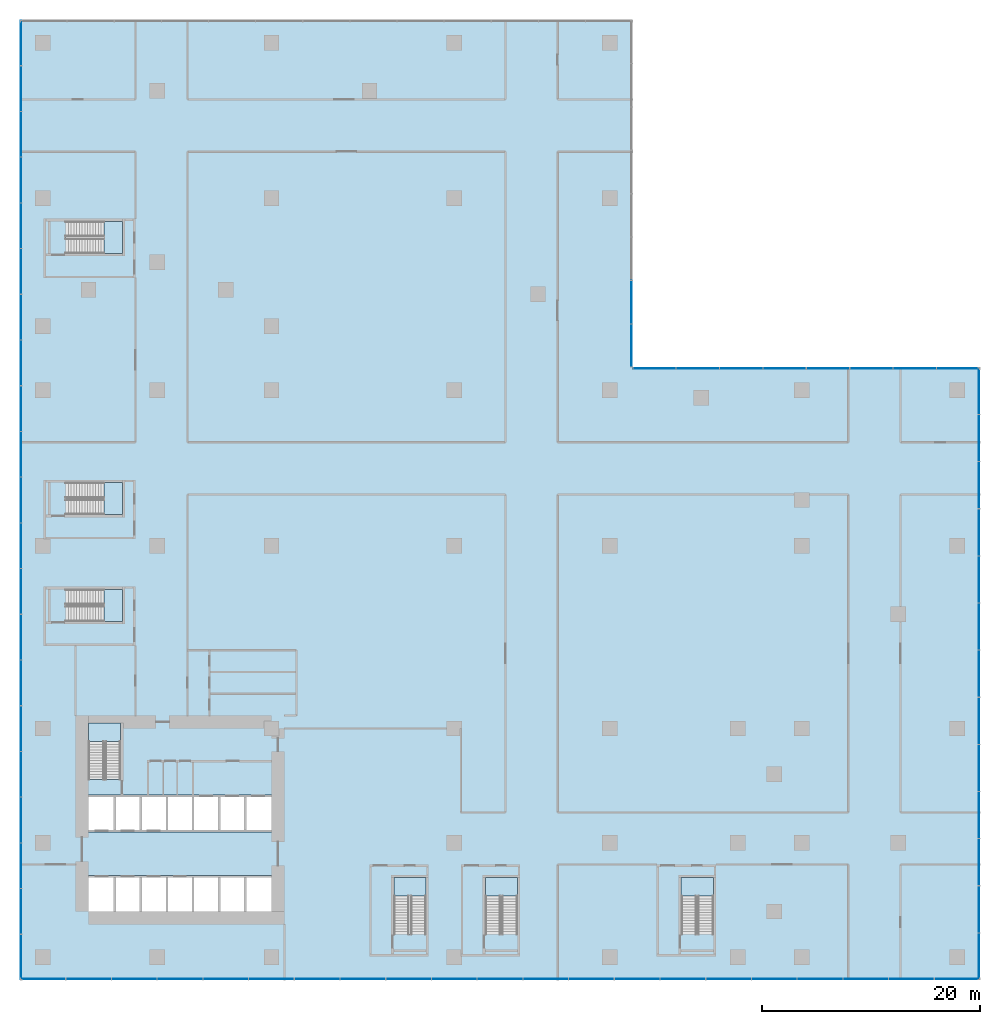
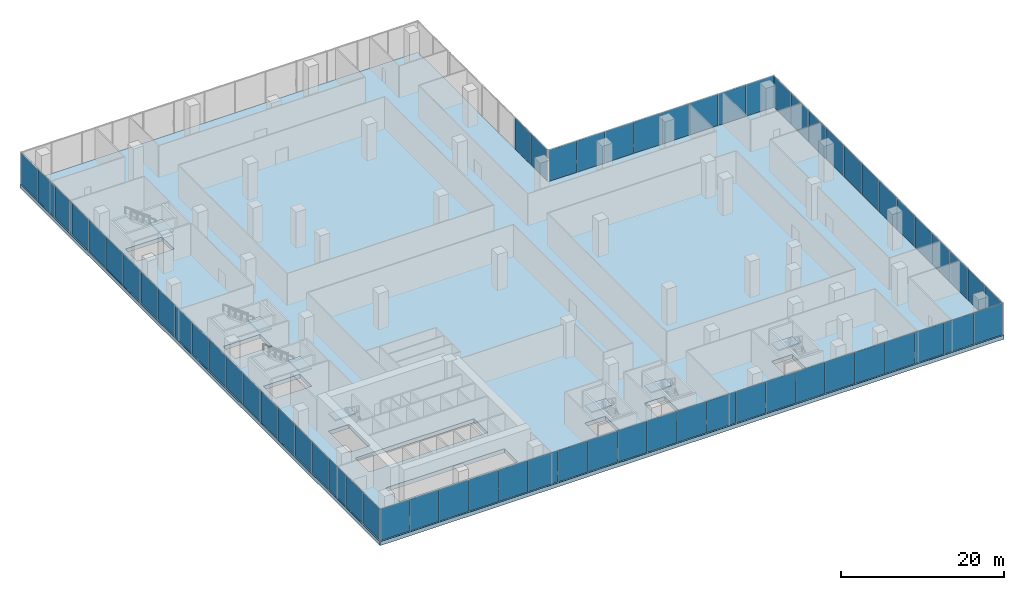
# One storey, part 11 of 22: 65 plates, 8 slabs, 12 elements without a shape of their own.
"""IFC4 building model written with IfcOpenShell, lengths in metres."""

from ifc_helpers import new_model, si_unit, direction, frame, origin, origin_2d, place, context, subcontext, project, spatial, polyline, rectangle, outline, extrude, source, transform, mapped, material, layer, layer_set, type_object, element, aggregate, save


model = new_model("IFC4")

# Units and contexts
model_context = context("Model", 3, precision=1e-05, world=origin(), true_north=direction((0.0, 1.0)))
body_context = subcontext(model_context, "Body", "Model", "MODEL_VIEW")
ifc_project = project(units=[si_unit("LENGTHUNIT", "METRE"), si_unit("AREAUNIT", "SQUARE_METRE"), si_unit("VOLUMEUNIT", "CUBIC_METRE"), si_unit("PLANEANGLEUNIT", "RADIAN"), si_unit("MASSUNIT", "GRAM", prefix="KILO")], contexts=[model_context])

# Site, building, storey
site_placement = place(None, origin())
site = spatial("IfcSite", under=ifc_project, at=site_placement, CompositionType="ELEMENT")
building_placement = place(site_placement, origin())
building = spatial("IfcBuilding", under=site, at=building_placement, Name="Aurelian Terraces", CompositionType="ELEMENT")
storey_placement = place(building_placement, frame((0.0, 0.0, 7.5)))
storey = spatial("IfcBuildingStorey", under=building, at=storey_placement, Name="L01", CompositionType="ELEMENT", Elevation=7.5)

# Slab
ifc_material_1 = material(Name="Concrete fc' 40 MPa", Category="concrete")
ifc_layer_1 = layer(ifc_material_1, 0.6)
ifc_layer_set_1 = layer_set([ifc_layer_1], Name="PT FLAT PLATE 600")
slab_type_1 = type_object("IfcSlabType", Name="PT FLAT PLATE 600", PredefinedType="FLOOR", material=ifc_layer_set_1)
slab_1_placement = place(storey_placement, frame((0.0, 0.0, -0.6)))
element("IfcSlab", 1, at=slab_1_placement, inside=storey, type_object=slab_type_1, Name="Floor slab P L01", PredefinedType="FLOOR", context=body_context, shape_type="SweptSolid", body=[
    extrude(outline(polyline([(86.1, -2.1), (54.18, -2.1), (-2.1, -2.1), (-2.1, 54.18), (-2.1, 86.1), (54.18, 86.1), (54.18, 54.18), (86.1, 54.18), (86.1, -2.1)]), holes=[polyline([(58.66, 7.29), (58.66, 2.11), (61.59, 2.11), (61.59, 7.29), (58.66, 7.29)]), polyline([(40.66, 7.29), (40.66, 2.11), (43.59, 2.11), (43.59, 7.29), (40.66, 7.29)]), polyline([(32.26, 7.29), (32.26, 2.11), (35.19, 2.11), (35.19, 7.29), (32.26, 7.29)]), polyline([(4.21, 7.49), (4.21, 4.21), (20.99, 4.21), (20.99, 7.49), (4.21, 7.49)]), polyline([(4.21, 14.89), (4.21, 11.51), (20.99, 11.51), (20.99, 14.89), (4.21, 14.89)]), polyline([(7.29, 40.66), (7.29, 43.59), (2.11, 43.59), (2.11, 40.66), (7.29, 40.66)]), polyline([(7.29, 64.66), (7.29, 67.59), (2.11, 67.59), (2.11, 64.66), (7.29, 64.66)]), polyline([(7.29, 33.79), (2.11, 33.79), (2.11, 30.86), (7.29, 30.86), (7.29, 33.79)]), polyline([(4.21, 21.49), (4.21, 16.31), (7.14, 16.31), (7.14, 21.49), (4.21, 21.49)])]), origin(), (0.0, 0.0, 1.0), 0.6),
])

# Curtain wall, plates
ifc_material_2 = material(Name="Anodised aluminium and clear glazing", Category="aluminium")
ifc_layer_2 = layer(ifc_material_2, 0.2)
ifc_layer_set_2 = layer_set([ifc_layer_2], Name="Podium shopfront curtain wall")
curtain_wall_type = type_object("IfcCurtainWallType", Name="Podium shopfront curtain wall", PredefinedType="NOTDEFINED", material=ifc_layer_set_2)
curtain_wall_1_placement = place(storey_placement, origin())
curtain_wall_1 = element("IfcCurtainWall", 2, at=curtain_wall_1_placement, inside=storey, type_object=curtain_wall_type, Name="Podium shopfront L01 F01.1", PredefinedType="NOTDEFINED")
ifc_material_3 = material(Name="Clear glazing", Category="glass")
ifc_layer_3 = layer(ifc_material_3, 0.028)
ifc_layer_set_3 = layer_set([ifc_layer_3], Name="Podium shopfront glazing panel")
plate_type = type_object("IfcPlateType", Name="Podium shopfront glazing panel", PredefinedType="CURTAIN_PANEL", material=ifc_layer_set_3)
plate_1_placement = place(storey_placement, frame((0.015, -2.0, 0.06), z_axis=(0.0, 0.0, 1.0), x_axis=(1.0, 0.0, 0.0)))
plate_1 = element("IfcPlate", 3, at=plate_1_placement, type_object=plate_type, Name="CW1 panel 1.1", PredefinedType="CURTAIN_PANEL", context=body_context, shape_type="SweptSolid", body=[
    extrude(rectangle(XDim=4.11, YDim=0.028, at=origin_2d()), origin(), (0.0, 0.0, 1.0), 4.68),
])
plate_2_placement = place(storey_placement, frame((4.2, -2.0, 0.06), z_axis=(0.0, 0.0, 1.0), x_axis=(1.0, 0.0, 0.0)))
plate_2 = element("IfcPlate", 4, at=plate_2_placement, type_object=plate_type, Name="CW1 panel 2.1", PredefinedType="CURTAIN_PANEL", context=body_context, shape_type="SweptSolid", body=[
    extrude(rectangle(XDim=4.14, YDim=0.028, at=origin_2d()), origin(), (0.0, 0.0, 1.0), 4.68),
])

curtain_wall_2_placement = place(storey_placement, origin())
curtain_wall_2 = element("IfcCurtainWall", 5, at=curtain_wall_2_placement, inside=storey, type_object=curtain_wall_type, Name="Podium shopfront L01 F02.1", PredefinedType="NOTDEFINED")
plate_3_placement = place(storey_placement, frame((86.0, 0.0796, 0.06), z_axis=(0.0, 0.0, 1.0), x_axis=(0.0, 1.0, 0.0)))
plate_3 = element("IfcPlate", 6, at=plate_3_placement, type_object=plate_type, Name="CW1 panel 1.1", PredefinedType="CURTAIN_PANEL", context=body_context, shape_type="SweptSolid", body=[
    extrude(rectangle(XDim=4.2392, YDim=0.028, at=origin_2d()), origin(), (0.0, 0.0, 1.0), 4.68),
])
plate_4_placement = place(storey_placement, frame((86.0, 4.3938, 0.06), z_axis=(0.0, 0.0, 1.0), x_axis=(0.0, 1.0, 0.0)))
plate_4 = element("IfcPlate", 7, at=plate_4_placement, type_object=plate_type, Name="CW1 panel 2.1", PredefinedType="CURTAIN_PANEL", context=body_context, shape_type="SweptSolid", body=[
    extrude(rectangle(XDim=4.2692, YDim=0.028, at=origin_2d()), origin(), (0.0, 0.0, 1.0), 4.68),
])

curtain_wall_3_placement = place(storey_placement, origin())
curtain_wall_3 = element("IfcCurtainWall", 8, at=curtain_wall_3_placement, inside=storey, type_object=curtain_wall_type, Name="Podium shopfront L01 F03.1", PredefinedType="NOTDEFINED")
plate_5_placement = place(storey_placement, frame((84.09, 54.08, 0.06), z_axis=(0.0, 0.0, 1.0), x_axis=(-1.0, 0.0, 0.0)))
plate_5 = element("IfcPlate", 9, at=plate_5_placement, type_object=plate_type, Name="CW1 panel 1.1", PredefinedType="CURTAIN_PANEL", context=body_context, shape_type="SweptSolid", body=[
    extrude(rectangle(XDim=3.9, YDim=0.028, at=origin_2d()), origin(), (0.0, 0.0, 1.0), 4.68),
])
plate_6_placement = place(storey_placement, frame((80.115, 54.08, 0.06), z_axis=(0.0, 0.0, 1.0), x_axis=(-1.0, 0.0, 0.0)))
plate_6 = element("IfcPlate", 10, at=plate_6_placement, type_object=plate_type, Name="CW1 panel 2.1", PredefinedType="CURTAIN_PANEL", context=body_context, shape_type="SweptSolid", body=[
    extrude(rectangle(XDim=3.93, YDim=0.028, at=origin_2d()), origin(), (0.0, 0.0, 1.0), 4.68),
])

# Stair, slab
stair_type = type_object("IfcStairType", Name="Stair 1400", PredefinedType="HALF_TURN_STAIR", material=ifc_material_1)
stair_1_placement = place(storey_placement, origin())
stair_1 = element("IfcStair", 11, at=stair_1_placement, inside=storey, type_object=stair_type, Name="L01 S1", PredefinedType="HALF_TURN_STAIR")
ifc_layer_4 = layer(ifc_material_1, 0.2)
ifc_layer_set_4 = layer_set([ifc_layer_4], Name="Stair landing 200")
slab_type_2 = type_object("IfcSlabType", Name="Stair landing 200", PredefinedType="LANDING", material=ifc_layer_set_4)
slab_2_placement = place(storey_placement, frame((0.0, 0.0, 2.5)))
slab_2 = element("IfcSlab", 12, at=slab_2_placement, type_object=slab_type_2, Name="S1 landing 1", PredefinedType="LANDING", context=body_context, shape_type="SweptSolid", body=[
    extrude(outline(polyline([(7.15, 19.8), (7.15, 21.5), (4.2, 21.5), (4.2, 19.8), (7.15, 19.8)])), origin(), (0.0, 0.0, 1.0), 0.2),
])
aggregate(stair_1, [slab_2])

stair_2_placement = place(storey_placement, origin())
stair_2 = element("IfcStair", 13, at=stair_2_placement, inside=storey, type_object=stair_type, Name="L01 S2", PredefinedType="HALF_TURN_STAIR")
slab_3_placement = place(storey_placement, frame((0.0, 0.0, 2.5)))
slab_3 = element("IfcSlab", 14, at=slab_3_placement, type_object=slab_type_2, Name="S2 landing 1", PredefinedType="LANDING", context=body_context, shape_type="SweptSolid", body=[
    extrude(outline(polyline([(43.6, 5.6), (43.6, 7.3), (40.65, 7.3), (40.65, 5.6), (43.6, 5.6)])), origin(), (0.0, 0.0, 1.0), 0.2),
])
aggregate(stair_2, [slab_3])

stair_3_placement = place(storey_placement, origin())
stair_3 = element("IfcStair", 15, at=stair_3_placement, inside=storey, type_object=stair_type, Name="L01 S3", PredefinedType="HALF_TURN_STAIR")
slab_4_placement = place(storey_placement, frame((0.0, 0.0, 2.5)))
slab_4 = element("IfcSlab", 16, at=slab_4_placement, type_object=slab_type_2, Name="S3 landing 1", PredefinedType="LANDING", context=body_context, shape_type="SweptSolid", body=[
    extrude(outline(polyline([(5.6, 40.65), (7.3, 40.65), (7.3, 43.6), (5.6, 43.6), (5.6, 40.65)])), origin(), (0.0, 0.0, 1.0), 0.2),
])
aggregate(stair_3, [slab_4])

stair_4_placement = place(storey_placement, origin())
stair_4 = element("IfcStair", 17, at=stair_4_placement, inside=storey, type_object=stair_type, Name="L01 S4", PredefinedType="HALF_TURN_STAIR")
slab_5_placement = place(storey_placement, frame((0.0, 0.0, 2.5)))
slab_5 = element("IfcSlab", 18, at=slab_5_placement, type_object=slab_type_2, Name="S4 landing 1", PredefinedType="LANDING", context=body_context, shape_type="SweptSolid", body=[
    extrude(outline(polyline([(5.6, 30.85), (7.3, 30.85), (7.3, 33.8), (5.6, 33.8), (5.6, 30.85)])), origin(), (0.0, 0.0, 1.0), 0.2),
])
aggregate(stair_4, [slab_5])

stair_5_placement = place(storey_placement, origin())
stair_5 = element("IfcStair", 19, at=stair_5_placement, inside=storey, type_object=stair_type, Name="L01 S5", PredefinedType="HALF_TURN_STAIR")
slab_6_placement = place(storey_placement, frame((0.0, 0.0, 2.5)))
slab_6 = element("IfcSlab", 20, at=slab_6_placement, type_object=slab_type_2, Name="S5 landing 1", PredefinedType="LANDING", context=body_context, shape_type="SweptSolid", body=[
    extrude(outline(polyline([(5.6, 64.65), (7.3, 64.65), (7.3, 67.6), (5.6, 67.6), (5.6, 64.65)])), origin(), (0.0, 0.0, 1.0), 0.2),
])
aggregate(stair_5, [slab_6])

stair_6_placement = place(storey_placement, origin())
stair_6 = element("IfcStair", 21, at=stair_6_placement, inside=storey, type_object=stair_type, Name="L01 S6", PredefinedType="HALF_TURN_STAIR")
slab_7_placement = place(storey_placement, frame((0.0, 0.0, 2.5)))
slab_7 = element("IfcSlab", 22, at=slab_7_placement, type_object=slab_type_2, Name="S6 landing 1", PredefinedType="LANDING", context=body_context, shape_type="SweptSolid", body=[
    extrude(outline(polyline([(61.6, 5.6), (61.6, 7.3), (58.65, 7.3), (58.65, 5.6), (61.6, 5.6)])), origin(), (0.0, 0.0, 1.0), 0.2),
])
aggregate(stair_6, [slab_7])

stair_7_placement = place(storey_placement, origin())
stair_7 = element("IfcStair", 23, at=stair_7_placement, inside=storey, type_object=stair_type, Name="L01 S7", PredefinedType="HALF_TURN_STAIR")
slab_8_placement = place(storey_placement, frame((0.0, 0.0, 2.5)))
slab_8 = element("IfcSlab", 24, at=slab_8_placement, type_object=slab_type_2, Name="S7 landing 1", PredefinedType="LANDING", context=body_context, shape_type="SweptSolid", body=[
    extrude(outline(polyline([(35.2, 5.6), (35.2, 7.3), (32.25, 7.3), (32.25, 5.6), (35.2, 5.6)])), origin(), (0.0, 0.0, 1.0), 0.2),
])
aggregate(stair_7, [slab_8])

# Plate
shared_shape_1 = source(origin(), body_context, "Body", "SweptSolid", [
    extrude(rectangle(XDim=4.14, YDim=0.028, at=origin_2d()), origin(), (0.0, 0.0, 1.0), 4.68),
])
plate_7_placement = place(storey_placement, frame((8.4, -2.0, 0.06), z_axis=(0.0, 0.0, 1.0), x_axis=(1.0, 0.0, 0.0)))
plate_7 = element("IfcPlate", 25, at=plate_7_placement, type_object=plate_type, Name="CW1 panel 3.1", PredefinedType="CURTAIN_PANEL", context=body_context, shape_type="MappedRepresentation", body=[
    mapped(shared_shape_1, transform((0.0, 0.0, 0.0), scale=1.0)),
])

plate_8_placement = place(storey_placement, frame((12.6, -2.0, 0.06), z_axis=(0.0, 0.0, 1.0), x_axis=(1.0, 0.0, 0.0)))
plate_8 = element("IfcPlate", 26, at=plate_8_placement, type_object=plate_type, Name="CW1 panel 4.1", PredefinedType="CURTAIN_PANEL", context=body_context, shape_type="MappedRepresentation", body=[
    mapped(shared_shape_1, transform((0.0, 0.0, 0.0), scale=1.0)),
])

plate_9_placement = place(storey_placement, frame((16.8, -2.0, 0.06), z_axis=(0.0, 0.0, 1.0), x_axis=(1.0, 0.0, 0.0)))
plate_9 = element("IfcPlate", 27, at=plate_9_placement, type_object=plate_type, Name="CW1 panel 5.1", PredefinedType="CURTAIN_PANEL", context=body_context, shape_type="MappedRepresentation", body=[
    mapped(shared_shape_1, transform((0.0, 0.0, 0.0), scale=1.0)),
])

plate_10_placement = place(storey_placement, frame((21.0, -2.0, 0.06), z_axis=(0.0, 0.0, 1.0), x_axis=(1.0, 0.0, 0.0)))
plate_10 = element("IfcPlate", 28, at=plate_10_placement, type_object=plate_type, Name="CW1 panel 6.1", PredefinedType="CURTAIN_PANEL", context=body_context, shape_type="MappedRepresentation", body=[
    mapped(shared_shape_1, transform((0.0, 0.0, 0.0), scale=1.0)),
])

plate_11_placement = place(storey_placement, frame((25.2, -2.0, 0.06), z_axis=(0.0, 0.0, 1.0), x_axis=(1.0, 0.0, 0.0)))
plate_11 = element("IfcPlate", 29, at=plate_11_placement, type_object=plate_type, Name="CW1 panel 7.1", PredefinedType="CURTAIN_PANEL", context=body_context, shape_type="MappedRepresentation", body=[
    mapped(shared_shape_1, transform((0.0, 0.0, 0.0), scale=1.0)),
])

plate_12_placement = place(storey_placement, frame((29.4, -2.0, 0.06), z_axis=(0.0, 0.0, 1.0), x_axis=(1.0, 0.0, 0.0)))
plate_12 = element("IfcPlate", 30, at=plate_12_placement, type_object=plate_type, Name="CW1 panel 8.1", PredefinedType="CURTAIN_PANEL", context=body_context, shape_type="MappedRepresentation", body=[
    mapped(shared_shape_1, transform((0.0, 0.0, 0.0), scale=1.0)),
])

plate_13_placement = place(storey_placement, frame((33.6, -2.0, 0.06), z_axis=(0.0, 0.0, 1.0), x_axis=(1.0, 0.0, 0.0)))
plate_13 = element("IfcPlate", 31, at=plate_13_placement, type_object=plate_type, Name="CW1 panel 9.1", PredefinedType="CURTAIN_PANEL", context=body_context, shape_type="MappedRepresentation", body=[
    mapped(shared_shape_1, transform((0.0, 0.0, 0.0), scale=1.0)),
])

plate_14_placement = place(storey_placement, frame((37.8, -2.0, 0.06), z_axis=(0.0, 0.0, 1.0), x_axis=(1.0, 0.0, 0.0)))
plate_14 = element("IfcPlate", 32, at=plate_14_placement, type_object=plate_type, Name="CW1 panel 10.1", PredefinedType="CURTAIN_PANEL", context=body_context, shape_type="MappedRepresentation", body=[
    mapped(shared_shape_1, transform((0.0, 0.0, 0.0), scale=1.0)),
])

plate_15_placement = place(storey_placement, frame((42.0, -2.0, 0.06), z_axis=(0.0, 0.0, 1.0), x_axis=(1.0, 0.0, 0.0)))
plate_15 = element("IfcPlate", 33, at=plate_15_placement, type_object=plate_type, Name="CW1 panel 11.1", PredefinedType="CURTAIN_PANEL", context=body_context, shape_type="MappedRepresentation", body=[
    mapped(shared_shape_1, transform((0.0, 0.0, 0.0), scale=1.0)),
])

plate_16_placement = place(storey_placement, frame((46.2, -2.0, 0.06), z_axis=(0.0, 0.0, 1.0), x_axis=(1.0, 0.0, 0.0)))
plate_16 = element("IfcPlate", 34, at=plate_16_placement, type_object=plate_type, Name="CW1 panel 12.1", PredefinedType="CURTAIN_PANEL", context=body_context, shape_type="MappedRepresentation", body=[
    mapped(shared_shape_1, transform((0.0, 0.0, 0.0), scale=1.0)),
])

plate_17_placement = place(storey_placement, frame((50.4, -2.0, 0.06), z_axis=(0.0, 0.0, 1.0), x_axis=(1.0, 0.0, 0.0)))
plate_17 = element("IfcPlate", 35, at=plate_17_placement, type_object=plate_type, Name="CW1 panel 13.1", PredefinedType="CURTAIN_PANEL", context=body_context, shape_type="MappedRepresentation", body=[
    mapped(shared_shape_1, transform((0.0, 0.0, 0.0), scale=1.0)),
])

plate_18_placement = place(storey_placement, frame((54.6, -2.0, 0.06), z_axis=(0.0, 0.0, 1.0), x_axis=(1.0, 0.0, 0.0)))
plate_18 = element("IfcPlate", 36, at=plate_18_placement, type_object=plate_type, Name="CW1 panel 14.1", PredefinedType="CURTAIN_PANEL", context=body_context, shape_type="MappedRepresentation", body=[
    mapped(shared_shape_1, transform((0.0, 0.0, 0.0), scale=1.0)),
])

plate_19_placement = place(storey_placement, frame((58.8, -2.0, 0.06), z_axis=(0.0, 0.0, 1.0), x_axis=(1.0, 0.0, 0.0)))
plate_19 = element("IfcPlate", 37, at=plate_19_placement, type_object=plate_type, Name="CW1 panel 15.1", PredefinedType="CURTAIN_PANEL", context=body_context, shape_type="MappedRepresentation", body=[
    mapped(shared_shape_1, transform((0.0, 0.0, 0.0), scale=1.0)),
])

plate_20_placement = place(storey_placement, frame((63.0, -2.0, 0.06), z_axis=(0.0, 0.0, 1.0), x_axis=(1.0, 0.0, 0.0)))
plate_20 = element("IfcPlate", 38, at=plate_20_placement, type_object=plate_type, Name="CW1 panel 16.1", PredefinedType="CURTAIN_PANEL", context=body_context, shape_type="MappedRepresentation", body=[
    mapped(shared_shape_1, transform((0.0, 0.0, 0.0), scale=1.0)),
])

plate_21_placement = place(storey_placement, frame((67.2, -2.0, 0.06), z_axis=(0.0, 0.0, 1.0), x_axis=(1.0, 0.0, 0.0)))
plate_21 = element("IfcPlate", 39, at=plate_21_placement, type_object=plate_type, Name="CW1 panel 17.1", PredefinedType="CURTAIN_PANEL", context=body_context, shape_type="MappedRepresentation", body=[
    mapped(shared_shape_1, transform((0.0, 0.0, 0.0), scale=1.0)),
])

plate_22_placement = place(storey_placement, frame((71.4, -2.0, 0.06), z_axis=(0.0, 0.0, 1.0), x_axis=(1.0, 0.0, 0.0)))
plate_22 = element("IfcPlate", 40, at=plate_22_placement, type_object=plate_type, Name="CW1 panel 18.1", PredefinedType="CURTAIN_PANEL", context=body_context, shape_type="MappedRepresentation", body=[
    mapped(shared_shape_1, transform((0.0, 0.0, 0.0), scale=1.0)),
])

plate_23_placement = place(storey_placement, frame((75.6, -2.0, 0.06), z_axis=(0.0, 0.0, 1.0), x_axis=(1.0, 0.0, 0.0)))
plate_23 = element("IfcPlate", 41, at=plate_23_placement, type_object=plate_type, Name="CW1 panel 19.1", PredefinedType="CURTAIN_PANEL", context=body_context, shape_type="MappedRepresentation", body=[
    mapped(shared_shape_1, transform((0.0, 0.0, 0.0), scale=1.0)),
])

plate_24_placement = place(storey_placement, frame((79.8, -2.0, 0.06), z_axis=(0.0, 0.0, 1.0), x_axis=(1.0, 0.0, 0.0)))
plate_24 = element("IfcPlate", 42, at=plate_24_placement, type_object=plate_type, Name="CW1 panel 20.1", PredefinedType="CURTAIN_PANEL", context=body_context, shape_type="MappedRepresentation", body=[
    mapped(shared_shape_1, transform((0.0, 0.0, 0.0), scale=1.0)),
])

# Curtain wall, plates
curtain_wall_4_placement = place(storey_placement, origin())
curtain_wall_4 = element("IfcCurtainWall", 43, at=curtain_wall_4_placement, inside=storey, type_object=curtain_wall_type, Name="Podium shopfront L01 F06.1", PredefinedType="NOTDEFINED")
plate_25_placement = place(storey_placement, frame((-2.0, 79.8, 0.06), z_axis=(0.0, 0.0, 1.0), x_axis=(0.0, -1.0, 0.0)))
plate_25 = element("IfcPlate", 44, at=plate_25_placement, type_object=plate_type, Name="CW1 panel 2.1", PredefinedType="CURTAIN_PANEL", context=body_context, shape_type="MappedRepresentation", body=[
    mapped(shared_shape_1, transform((0.0, 0.0, 0.0), scale=1.0)),
])
plate_26_placement = place(storey_placement, frame((-2.0, 75.6, 0.06), z_axis=(0.0, 0.0, 1.0), x_axis=(0.0, -1.0, 0.0)))
plate_26 = element("IfcPlate", 45, at=plate_26_placement, type_object=plate_type, Name="CW1 panel 3.1", PredefinedType="CURTAIN_PANEL", context=body_context, shape_type="MappedRepresentation", body=[
    mapped(shared_shape_1, transform((0.0, 0.0, 0.0), scale=1.0)),
])
plate_27_placement = place(storey_placement, frame((-2.0, 71.4, 0.06), z_axis=(0.0, 0.0, 1.0), x_axis=(0.0, -1.0, 0.0)))
plate_27 = element("IfcPlate", 46, at=plate_27_placement, type_object=plate_type, Name="CW1 panel 4.1", PredefinedType="CURTAIN_PANEL", context=body_context, shape_type="MappedRepresentation", body=[
    mapped(shared_shape_1, transform((0.0, 0.0, 0.0), scale=1.0)),
])
plate_28_placement = place(storey_placement, frame((-2.0, 67.2, 0.06), z_axis=(0.0, 0.0, 1.0), x_axis=(0.0, -1.0, 0.0)))
plate_28 = element("IfcPlate", 47, at=plate_28_placement, type_object=plate_type, Name="CW1 panel 5.1", PredefinedType="CURTAIN_PANEL", context=body_context, shape_type="MappedRepresentation", body=[
    mapped(shared_shape_1, transform((0.0, 0.0, 0.0), scale=1.0)),
])
plate_29_placement = place(storey_placement, frame((-2.0, 63.0, 0.06), z_axis=(0.0, 0.0, 1.0), x_axis=(0.0, -1.0, 0.0)))
plate_29 = element("IfcPlate", 48, at=plate_29_placement, type_object=plate_type, Name="CW1 panel 6.1", PredefinedType="CURTAIN_PANEL", context=body_context, shape_type="MappedRepresentation", body=[
    mapped(shared_shape_1, transform((0.0, 0.0, 0.0), scale=1.0)),
])
plate_30_placement = place(storey_placement, frame((-2.0, 58.8, 0.06), z_axis=(0.0, 0.0, 1.0), x_axis=(0.0, -1.0, 0.0)))
plate_30 = element("IfcPlate", 49, at=plate_30_placement, type_object=plate_type, Name="CW1 panel 7.1", PredefinedType="CURTAIN_PANEL", context=body_context, shape_type="MappedRepresentation", body=[
    mapped(shared_shape_1, transform((0.0, 0.0, 0.0), scale=1.0)),
])
plate_31_placement = place(storey_placement, frame((-2.0, 54.6, 0.06), z_axis=(0.0, 0.0, 1.0), x_axis=(0.0, -1.0, 0.0)))
plate_31 = element("IfcPlate", 50, at=plate_31_placement, type_object=plate_type, Name="CW1 panel 8.1", PredefinedType="CURTAIN_PANEL", context=body_context, shape_type="MappedRepresentation", body=[
    mapped(shared_shape_1, transform((0.0, 0.0, 0.0), scale=1.0)),
])
plate_32_placement = place(storey_placement, frame((-2.0, 50.4, 0.06), z_axis=(0.0, 0.0, 1.0), x_axis=(0.0, -1.0, 0.0)))
plate_32 = element("IfcPlate", 51, at=plate_32_placement, type_object=plate_type, Name="CW1 panel 9.1", PredefinedType="CURTAIN_PANEL", context=body_context, shape_type="MappedRepresentation", body=[
    mapped(shared_shape_1, transform((0.0, 0.0, 0.0), scale=1.0)),
])
plate_33_placement = place(storey_placement, frame((-2.0, 46.2, 0.06), z_axis=(0.0, 0.0, 1.0), x_axis=(0.0, -1.0, 0.0)))
plate_33 = element("IfcPlate", 52, at=plate_33_placement, type_object=plate_type, Name="CW1 panel 10.1", PredefinedType="CURTAIN_PANEL", context=body_context, shape_type="MappedRepresentation", body=[
    mapped(shared_shape_1, transform((0.0, 0.0, 0.0), scale=1.0)),
])
plate_34_placement = place(storey_placement, frame((-2.0, 42.0, 0.06), z_axis=(0.0, 0.0, 1.0), x_axis=(0.0, -1.0, 0.0)))
plate_34 = element("IfcPlate", 53, at=plate_34_placement, type_object=plate_type, Name="CW1 panel 11.1", PredefinedType="CURTAIN_PANEL", context=body_context, shape_type="MappedRepresentation", body=[
    mapped(shared_shape_1, transform((0.0, 0.0, 0.0), scale=1.0)),
])
plate_35_placement = place(storey_placement, frame((-2.0, 37.8, 0.06), z_axis=(0.0, 0.0, 1.0), x_axis=(0.0, -1.0, 0.0)))
plate_35 = element("IfcPlate", 54, at=plate_35_placement, type_object=plate_type, Name="CW1 panel 12.1", PredefinedType="CURTAIN_PANEL", context=body_context, shape_type="MappedRepresentation", body=[
    mapped(shared_shape_1, transform((0.0, 0.0, 0.0), scale=1.0)),
])
plate_36_placement = place(storey_placement, frame((-2.0, 33.6, 0.06), z_axis=(0.0, 0.0, 1.0), x_axis=(0.0, -1.0, 0.0)))
plate_36 = element("IfcPlate", 55, at=plate_36_placement, type_object=plate_type, Name="CW1 panel 13.1", PredefinedType="CURTAIN_PANEL", context=body_context, shape_type="MappedRepresentation", body=[
    mapped(shared_shape_1, transform((0.0, 0.0, 0.0), scale=1.0)),
])
plate_37_placement = place(storey_placement, frame((-2.0, 29.4, 0.06), z_axis=(0.0, 0.0, 1.0), x_axis=(0.0, -1.0, 0.0)))
plate_37 = element("IfcPlate", 56, at=plate_37_placement, type_object=plate_type, Name="CW1 panel 14.1", PredefinedType="CURTAIN_PANEL", context=body_context, shape_type="MappedRepresentation", body=[
    mapped(shared_shape_1, transform((0.0, 0.0, 0.0), scale=1.0)),
])
plate_38_placement = place(storey_placement, frame((-2.0, 25.2, 0.06), z_axis=(0.0, 0.0, 1.0), x_axis=(0.0, -1.0, 0.0)))
plate_38 = element("IfcPlate", 57, at=plate_38_placement, type_object=plate_type, Name="CW1 panel 15.1", PredefinedType="CURTAIN_PANEL", context=body_context, shape_type="MappedRepresentation", body=[
    mapped(shared_shape_1, transform((0.0, 0.0, 0.0), scale=1.0)),
])
plate_39_placement = place(storey_placement, frame((-2.0, 21.0, 0.06), z_axis=(0.0, 0.0, 1.0), x_axis=(0.0, -1.0, 0.0)))
plate_39 = element("IfcPlate", 58, at=plate_39_placement, type_object=plate_type, Name="CW1 panel 16.1", PredefinedType="CURTAIN_PANEL", context=body_context, shape_type="MappedRepresentation", body=[
    mapped(shared_shape_1, transform((0.0, 0.0, 0.0), scale=1.0)),
])
plate_40_placement = place(storey_placement, frame((-2.0, 16.8, 0.06), z_axis=(0.0, 0.0, 1.0), x_axis=(0.0, -1.0, 0.0)))
plate_40 = element("IfcPlate", 59, at=plate_40_placement, type_object=plate_type, Name="CW1 panel 17.1", PredefinedType="CURTAIN_PANEL", context=body_context, shape_type="MappedRepresentation", body=[
    mapped(shared_shape_1, transform((0.0, 0.0, 0.0), scale=1.0)),
])
plate_41_placement = place(storey_placement, frame((-2.0, 12.6, 0.06), z_axis=(0.0, 0.0, 1.0), x_axis=(0.0, -1.0, 0.0)))
plate_41 = element("IfcPlate", 60, at=plate_41_placement, type_object=plate_type, Name="CW1 panel 18.1", PredefinedType="CURTAIN_PANEL", context=body_context, shape_type="MappedRepresentation", body=[
    mapped(shared_shape_1, transform((0.0, 0.0, 0.0), scale=1.0)),
])
plate_42_placement = place(storey_placement, frame((-2.0, 8.4, 0.06), z_axis=(0.0, 0.0, 1.0), x_axis=(0.0, -1.0, 0.0)))
plate_42 = element("IfcPlate", 61, at=plate_42_placement, type_object=plate_type, Name="CW1 panel 19.1", PredefinedType="CURTAIN_PANEL", context=body_context, shape_type="MappedRepresentation", body=[
    mapped(shared_shape_1, transform((0.0, 0.0, 0.0), scale=1.0)),
])
plate_43_placement = place(storey_placement, frame((-2.0, 4.2, 0.06), z_axis=(0.0, 0.0, 1.0), x_axis=(0.0, -1.0, 0.0)))
plate_43 = element("IfcPlate", 62, at=plate_43_placement, type_object=plate_type, Name="CW1 panel 20.1", PredefinedType="CURTAIN_PANEL", context=body_context, shape_type="MappedRepresentation", body=[
    mapped(shared_shape_1, transform((0.0, 0.0, 0.0), scale=1.0)),
])

# Plate
shared_shape_2 = source(origin(), body_context, "Body", "SweptSolid", [
    extrude(rectangle(XDim=4.11, YDim=0.028, at=origin_2d()), origin(), (0.0, 0.0, 1.0), 4.68),
])
plate_44_placement = place(storey_placement, frame((83.985, -2.0, 0.06), z_axis=(0.0, 0.0, 1.0), x_axis=(1.0, 0.0, 0.0)))
plate_44 = element("IfcPlate", 63, at=plate_44_placement, type_object=plate_type, Name="CW1 panel 21.1", PredefinedType="CURTAIN_PANEL", context=body_context, shape_type="MappedRepresentation", body=[
    mapped(shared_shape_2, transform((0.0, 0.0, 0.0), scale=1.0)),
])

aggregate(curtain_wall_1, [plate_1, plate_2, plate_7, plate_8, plate_9, plate_10, plate_11, plate_12, plate_13, plate_14, plate_15, plate_16, plate_17, plate_18, plate_19, plate_20, plate_21, plate_22, plate_23, plate_24, plate_44])

plate_45_placement = place(storey_placement, frame((-2.0, 83.985, 0.06), z_axis=(0.0, 0.0, 1.0), x_axis=(0.0, -1.0, 0.0)))
plate_45 = element("IfcPlate", 64, at=plate_45_placement, type_object=plate_type, Name="CW1 panel 1.1", PredefinedType="CURTAIN_PANEL", context=body_context, shape_type="MappedRepresentation", body=[
    mapped(shared_shape_2, transform((0.0, 0.0, 0.0), scale=1.0)),
])

plate_46_placement = place(storey_placement, frame((-2.0, 0.015, 0.06), z_axis=(0.0, 0.0, 1.0), x_axis=(0.0, -1.0, 0.0)))
plate_46 = element("IfcPlate", 65, at=plate_46_placement, type_object=plate_type, Name="CW1 panel 21.1", PredefinedType="CURTAIN_PANEL", context=body_context, shape_type="MappedRepresentation", body=[
    mapped(shared_shape_2, transform((0.0, 0.0, 0.0), scale=1.0)),
])

aggregate(curtain_wall_4, [plate_45, plate_25, plate_26, plate_27, plate_28, plate_29, plate_30, plate_31, plate_32, plate_33, plate_34, plate_35, plate_36, plate_37, plate_38, plate_39, plate_40, plate_41, plate_42, plate_43, plate_46])

shared_shape_3 = source(origin(), body_context, "Body", "SweptSolid", [
    extrude(rectangle(XDim=4.2692, YDim=0.028, at=origin_2d()), origin(), (0.0, 0.0, 1.0), 4.68),
])
plate_47_placement = place(storey_placement, frame((86.0, 8.7231, 0.06), z_axis=(0.0, 0.0, 1.0), x_axis=(0.0, 1.0, 0.0)))
plate_47 = element("IfcPlate", 66, at=plate_47_placement, type_object=plate_type, Name="CW1 panel 3.1", PredefinedType="CURTAIN_PANEL", context=body_context, shape_type="MappedRepresentation", body=[
    mapped(shared_shape_3, transform((0.0, 0.0, 0.0), scale=1.0)),
])

plate_48_placement = place(storey_placement, frame((86.0, 13.0523, 0.06), z_axis=(0.0, 0.0, 1.0), x_axis=(0.0, 1.0, 0.0)))
plate_48 = element("IfcPlate", 67, at=plate_48_placement, type_object=plate_type, Name="CW1 panel 4.1", PredefinedType="CURTAIN_PANEL", context=body_context, shape_type="MappedRepresentation", body=[
    mapped(shared_shape_3, transform((0.0, 0.0, 0.0), scale=1.0)),
])

plate_49_placement = place(storey_placement, frame((86.0, 17.3815, 0.06), z_axis=(0.0, 0.0, 1.0), x_axis=(0.0, 1.0, 0.0)))
plate_49 = element("IfcPlate", 68, at=plate_49_placement, type_object=plate_type, Name="CW1 panel 5.1", PredefinedType="CURTAIN_PANEL", context=body_context, shape_type="MappedRepresentation", body=[
    mapped(shared_shape_3, transform((0.0, 0.0, 0.0), scale=1.0)),
])

plate_50_placement = place(storey_placement, frame((86.0, 21.7108, 0.06), z_axis=(0.0, 0.0, 1.0), x_axis=(0.0, 1.0, 0.0)))
plate_50 = element("IfcPlate", 69, at=plate_50_placement, type_object=plate_type, Name="CW1 panel 6.1", PredefinedType="CURTAIN_PANEL", context=body_context, shape_type="MappedRepresentation", body=[
    mapped(shared_shape_3, transform((0.0, 0.0, 0.0), scale=1.0)),
])

plate_51_placement = place(storey_placement, frame((86.0, 26.04, 0.06), z_axis=(0.0, 0.0, 1.0), x_axis=(0.0, 1.0, 0.0)))
plate_51 = element("IfcPlate", 70, at=plate_51_placement, type_object=plate_type, Name="CW1 panel 7.1", PredefinedType="CURTAIN_PANEL", context=body_context, shape_type="MappedRepresentation", body=[
    mapped(shared_shape_3, transform((0.0, 0.0, 0.0), scale=1.0)),
])

plate_52_placement = place(storey_placement, frame((86.0, 30.3692, 0.06), z_axis=(0.0, 0.0, 1.0), x_axis=(0.0, 1.0, 0.0)))
plate_52 = element("IfcPlate", 71, at=plate_52_placement, type_object=plate_type, Name="CW1 panel 8.1", PredefinedType="CURTAIN_PANEL", context=body_context, shape_type="MappedRepresentation", body=[
    mapped(shared_shape_3, transform((0.0, 0.0, 0.0), scale=1.0)),
])

plate_53_placement = place(storey_placement, frame((86.0, 34.6985, 0.06), z_axis=(0.0, 0.0, 1.0), x_axis=(0.0, 1.0, 0.0)))
plate_53 = element("IfcPlate", 72, at=plate_53_placement, type_object=plate_type, Name="CW1 panel 9.1", PredefinedType="CURTAIN_PANEL", context=body_context, shape_type="MappedRepresentation", body=[
    mapped(shared_shape_3, transform((0.0, 0.0, 0.0), scale=1.0)),
])

plate_54_placement = place(storey_placement, frame((86.0, 39.0277, 0.06), z_axis=(0.0, 0.0, 1.0), x_axis=(0.0, 1.0, 0.0)))
plate_54 = element("IfcPlate", 73, at=plate_54_placement, type_object=plate_type, Name="CW1 panel 10.1", PredefinedType="CURTAIN_PANEL", context=body_context, shape_type="MappedRepresentation", body=[
    mapped(shared_shape_3, transform((0.0, 0.0, 0.0), scale=1.0)),
])

plate_55_placement = place(storey_placement, frame((86.0, 43.3569, 0.06), z_axis=(0.0, 0.0, 1.0), x_axis=(0.0, 1.0, 0.0)))
plate_55 = element("IfcPlate", 74, at=plate_55_placement, type_object=plate_type, Name="CW1 panel 11.1", PredefinedType="CURTAIN_PANEL", context=body_context, shape_type="MappedRepresentation", body=[
    mapped(shared_shape_3, transform((0.0, 0.0, 0.0), scale=1.0)),
])

plate_56_placement = place(storey_placement, frame((86.0, 47.6862, 0.06), z_axis=(0.0, 0.0, 1.0), x_axis=(0.0, 1.0, 0.0)))
plate_56 = element("IfcPlate", 75, at=plate_56_placement, type_object=plate_type, Name="CW1 panel 12.1", PredefinedType="CURTAIN_PANEL", context=body_context, shape_type="MappedRepresentation", body=[
    mapped(shared_shape_3, transform((0.0, 0.0, 0.0), scale=1.0)),
])

shared_shape_4 = source(origin(), body_context, "Body", "SweptSolid", [
    extrude(rectangle(XDim=4.2392, YDim=0.028, at=origin_2d()), origin(), (0.0, 0.0, 1.0), 4.68),
])
plate_57_placement = place(storey_placement, frame((86.0, 52.0004, 0.06), z_axis=(0.0, 0.0, 1.0), x_axis=(0.0, 1.0, 0.0)))
plate_57 = element("IfcPlate", 76, at=plate_57_placement, type_object=plate_type, Name="CW1 panel 13.1", PredefinedType="CURTAIN_PANEL", context=body_context, shape_type="MappedRepresentation", body=[
    mapped(shared_shape_4, transform((0.0, 0.0, 0.0), scale=1.0)),
])

aggregate(curtain_wall_2, [plate_3, plate_4, plate_47, plate_48, plate_49, plate_50, plate_51, plate_52, plate_53, plate_54, plate_55, plate_56, plate_57])

shared_shape_5 = source(origin(), body_context, "Body", "SweptSolid", [
    extrude(rectangle(XDim=3.93, YDim=0.028, at=origin_2d()), origin(), (0.0, 0.0, 1.0), 4.68),
])
plate_58_placement = place(storey_placement, frame((76.125, 54.08, 0.06), z_axis=(0.0, 0.0, 1.0), x_axis=(-1.0, 0.0, 0.0)))
plate_58 = element("IfcPlate", 77, at=plate_58_placement, type_object=plate_type, Name="CW1 panel 3.1", PredefinedType="CURTAIN_PANEL", context=body_context, shape_type="MappedRepresentation", body=[
    mapped(shared_shape_5, transform((0.0, 0.0, 0.0), scale=1.0)),
])

plate_59_placement = place(storey_placement, frame((72.135, 54.08, 0.06), z_axis=(0.0, 0.0, 1.0), x_axis=(-1.0, 0.0, 0.0)))
plate_59 = element("IfcPlate", 78, at=plate_59_placement, type_object=plate_type, Name="CW1 panel 4.1", PredefinedType="CURTAIN_PANEL", context=body_context, shape_type="MappedRepresentation", body=[
    mapped(shared_shape_5, transform((0.0, 0.0, 0.0), scale=1.0)),
])

plate_60_placement = place(storey_placement, frame((68.145, 54.08, 0.06), z_axis=(0.0, 0.0, 1.0), x_axis=(-1.0, 0.0, 0.0)))
plate_60 = element("IfcPlate", 79, at=plate_60_placement, type_object=plate_type, Name="CW1 panel 5.1", PredefinedType="CURTAIN_PANEL", context=body_context, shape_type="MappedRepresentation", body=[
    mapped(shared_shape_5, transform((0.0, 0.0, 0.0), scale=1.0)),
])

plate_61_placement = place(storey_placement, frame((64.155, 54.08, 0.06), z_axis=(0.0, 0.0, 1.0), x_axis=(-1.0, 0.0, 0.0)))
plate_61 = element("IfcPlate", 80, at=plate_61_placement, type_object=plate_type, Name="CW1 panel 6.1", PredefinedType="CURTAIN_PANEL", context=body_context, shape_type="MappedRepresentation", body=[
    mapped(shared_shape_5, transform((0.0, 0.0, 0.0), scale=1.0)),
])

plate_62_placement = place(storey_placement, frame((60.165, 54.08, 0.06), z_axis=(0.0, 0.0, 1.0), x_axis=(-1.0, 0.0, 0.0)))
plate_62 = element("IfcPlate", 81, at=plate_62_placement, type_object=plate_type, Name="CW1 panel 7.1", PredefinedType="CURTAIN_PANEL", context=body_context, shape_type="MappedRepresentation", body=[
    mapped(shared_shape_5, transform((0.0, 0.0, 0.0), scale=1.0)),
])

# Curtain wall, plate
curtain_wall_5_placement = place(storey_placement, origin())
curtain_wall_5 = element("IfcCurtainWall", 82, at=curtain_wall_5_placement, inside=storey, type_object=curtain_wall_type, Name="Podium shopfront L01 F04.1", PredefinedType="NOTDEFINED")
plate_63_placement = place(storey_placement, frame((54.08, 60.165, 0.06), z_axis=(0.0, 0.0, 1.0), x_axis=(0.0, 1.0, 0.0)))
plate_63 = element("IfcPlate", 83, at=plate_63_placement, type_object=plate_type, Name="CW1 panel 2.1", PredefinedType="CURTAIN_PANEL", context=body_context, shape_type="MappedRepresentation", body=[
    mapped(shared_shape_5, transform((0.0, 0.0, 0.0), scale=1.0)),
])

# Plate
shared_shape_6 = source(origin(), body_context, "Body", "SweptSolid", [
    extrude(rectangle(XDim=3.9, YDim=0.028, at=origin_2d()), origin(), (0.0, 0.0, 1.0), 4.68),
])
plate_64_placement = place(storey_placement, frame((56.19, 54.08, 0.06), z_axis=(0.0, 0.0, 1.0), x_axis=(-1.0, 0.0, 0.0)))
plate_64 = element("IfcPlate", 84, at=plate_64_placement, type_object=plate_type, Name="CW1 panel 8.1", PredefinedType="CURTAIN_PANEL", context=body_context, shape_type="MappedRepresentation", body=[
    mapped(shared_shape_6, transform((0.0, 0.0, 0.0), scale=1.0)),
])

aggregate(curtain_wall_3, [plate_5, plate_6, plate_58, plate_59, plate_60, plate_61, plate_62, plate_64])

plate_65_placement = place(storey_placement, frame((54.08, 56.19, 0.06), z_axis=(0.0, 0.0, 1.0), x_axis=(0.0, 1.0, 0.0)))
plate_65 = element("IfcPlate", 85, at=plate_65_placement, type_object=plate_type, Name="CW1 panel 1.1", PredefinedType="CURTAIN_PANEL", context=body_context, shape_type="MappedRepresentation", body=[
    mapped(shared_shape_6, transform((0.0, 0.0, 0.0), scale=1.0)),
])

aggregate(curtain_wall_5, [plate_65, plate_63])

save(model, "model.ifc")
